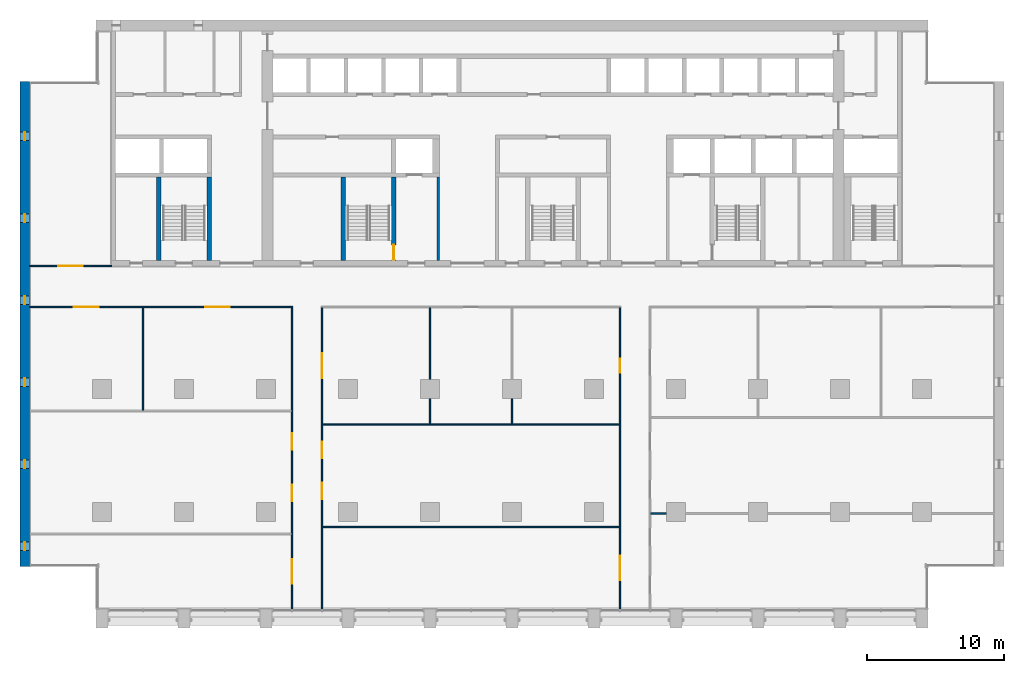
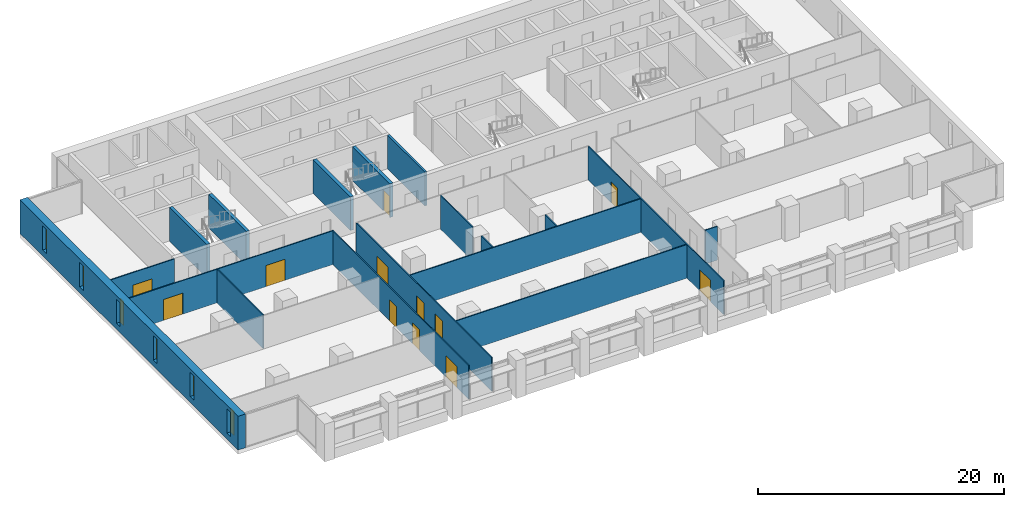
# One storey, part 8 of 17: 18 walls, 12 doors, 6 windows, 18 openings.
"""IFC4 building model written with IfcOpenShell, lengths in metres."""

import ifcopenshell
import ifcopenshell.guid

model = None  # the IFC model being written
_history = None  # IfcOwnerHistory: only IFC2X3 demands one
_inside = {}  # id of a spatial element -> (the spatial element, [elements in it])
_under = {}  # id of a project, library or spatial element -> (it, [spatial elements below it])
_declared = {}  # id of a project -> (the project, [libraries it declares])
_typed = {}  # id of a type object -> (the type object, [elements of that type])
_made_of = {}  # id of a material, layer set ... -> (it, [elements and type objects made of it])


def new_model(schema):
    """Start an empty IFC model of exactly this schema.

    Asked for "IFC4X3", IfcOpenShell would pick the latest addendum, in which some entities
    have other attributes; the version numbers below select the first issue.
    IFC2X3 requires an IfcOwnerHistory on every rooted entity: one is made here for all.
    """
    global model, _history
    if schema == "IFC4X3":
        model = ifcopenshell.file(schema_version=(4, 3, 0, 0))
    else:
        model = ifcopenshell.file(schema=schema)
    _inside.clear()
    _under.clear()
    _declared.clear()
    _typed.clear()
    _made_of.clear()
    _history = None
    if model.schema == "IFC2X3":
        org = make("IfcOrganization", Name="unknown")
        user = make(
            "IfcPersonAndOrganization",
            ThePerson=make("IfcPerson", FamilyName="unknown"),
            TheOrganization=org,
        )
        app = make(
            "IfcApplication",
            ApplicationDeveloper=org,
            Version="unknown",
            ApplicationFullName="unknown",
            ApplicationIdentifier="unknown",
        )
        _history = make(
            "IfcOwnerHistory",
            OwningUser=user,
            OwningApplication=app,
            ChangeAction="ADDED",
            CreationDate=0,
        )
    return model


def make(cls, **values):
    """One entity of the class cls with the attributes given. An attribute that is None is left unset."""
    return model.create_entity(
        cls, **{name: value for name, value in values.items() if value is not None}
    )


def rooted(cls, **values):
    """An entity with a GlobalId (a new one), such as an element, a storey or a relation."""
    return make(cls, GlobalId=ifcopenshell.guid.new(), OwnerHistory=_history, **values)


def si_unit(unit_type, name, prefix=None):
    """IfcSIUnit, for example si_unit("LENGTHUNIT", "METRE", prefix="MILLI")."""
    return make("IfcSIUnit", UnitType=unit_type, Prefix=prefix, Name=name)


def assignment(units):
    """IfcUnitAssignment: the units of a project."""
    return None if units is None else make("IfcUnitAssignment", Units=units)


def point(xyz):
    """IfcCartesianPoint."""
    return None if xyz is None else make("IfcCartesianPoint", Coordinates=xyz)


def direction(xyz):
    """IfcDirection."""
    return None if xyz is None else make("IfcDirection", DirectionRatios=xyz)


def frame(location, z_axis=None, x_axis=None):
    """IfcAxis2Placement3D, a coordinate frame: its origin and axes. An axis left out is left unset."""
    return make(
        "IfcAxis2Placement3D",
        Location=point(location),
        Axis=direction(z_axis),
        RefDirection=direction(x_axis),
    )


def frame_2d(location, x_axis=None):
    """IfcAxis2Placement2D, a coordinate frame in the plane: its origin and x axis."""
    return make(
        "IfcAxis2Placement2D", Location=point(location), RefDirection=direction(x_axis)
    )


def origin():
    """The frame at (0, 0, 0) with its axes left unset."""
    return frame((0.0, 0.0, 0.0))


def place(relative_to, where):
    """IfcLocalPlacement: puts the frame where relative to a parent placement (None: the world)."""
    return make(
        "IfcLocalPlacement", PlacementRelTo=relative_to, RelativePlacement=where
    )


def context(
    kind, dimensions, precision=None, world=None, true_north=None, identifier=None
):
    """IfcGeometricRepresentationContext, for example the 3D "Model" context."""
    return make(
        "IfcGeometricRepresentationContext",
        ContextIdentifier=identifier,
        ContextType=kind,
        CoordinateSpaceDimension=dimensions,
        Precision=precision,
        WorldCoordinateSystem=world,
        TrueNorth=true_north,
    )


def subcontext(parent, identifier, kind, view, scale=None):
    """IfcGeometricRepresentationSubContext, for example "Body" below "Model"."""
    return make(
        "IfcGeometricRepresentationSubContext",
        ContextIdentifier=identifier,
        ContextType=kind,
        ParentContext=parent,
        TargetScale=scale,
        TargetView=view,
    )


def project(units=None, contexts=None):
    """IfcProject with its units and contexts."""
    return rooted(
        "IfcProject",
        Name="project",
        RepresentationContexts=contexts,
        UnitsInContext=assignment(units),
    )


def spatial(cls, under=None, at=None, **own):
    """A site, building, storey or space (cls), placed at a placement, below another one or the project."""
    s = rooted(cls, ObjectPlacement=at, **own)
    if under is not None:
        _under.setdefault(under.id(), (under, []))[1].append(s)
    return s


def profile(cls, at=None, kind="AREA", **sizes):
    """A parametric profile (cls). Its sizes go by their IFC names, for example OverallWidth=200.0."""
    return make(cls, ProfileType=kind, Position=at, **sizes)


def rectangle(**sizes):
    """IfcRectangleProfileDef."""
    return profile("IfcRectangleProfileDef", **sizes)


def extrude(swept, where, along, depth):
    """IfcExtrudedAreaSolid: the profile swept, set in the frame where, extruded along a direction by depth."""
    return make(
        "IfcExtrudedAreaSolid",
        SweptArea=swept,
        Position=where,
        ExtrudedDirection=direction(along),
        Depth=depth,
    )


def shape(context_of_items, identifier, shape_type, items):
    """IfcShapeRepresentation: the items that make up one representation, for example the "Body"."""
    return make(
        "IfcShapeRepresentation",
        ContextOfItems=context_of_items,
        RepresentationIdentifier=identifier,
        RepresentationType=shape_type,
        Items=items,
    )


def material(Name=None, Category=None):
    """IfcMaterial."""
    return make("IfcMaterial", Name=Name, Category=Category)


def layer(
    of_material, thickness, ventilated=None, Name=None, Category=None, Priority=None
):
    """IfcMaterialLayer: one layer of a wall or slab, of a material (None: an air gap)."""
    return make(
        "IfcMaterialLayer",
        Material=of_material,
        LayerThickness=thickness,
        IsVentilated=ventilated,
        Name=Name,
        Category=Category,
        Priority=Priority,
    )


def layer_set(layers, Name=None):
    """IfcMaterialLayerSet."""
    return make("IfcMaterialLayerSet", MaterialLayers=layers, LayerSetName=Name)


def made_of(thing, what):
    """Note that an element or type object is made of a material, layer set ...; save() writes the relation."""
    if what is not None:
        _made_of.setdefault(what.id(), (what, []))[1].append(thing)
    return thing


def type_object(cls, material=None, **own):
    """A type object (cls), such as IfcWallType, which elements share."""
    return made_of(rooted(cls, **own), material)


def element(
    cls,
    number,
    at=None,
    inside=None,
    cuts=None,
    type_object=None,
    material=None,
    context=None,
    identifier="Body",
    shape_type=None,
    held_by="IfcProductDefinitionShape",
    body=None,
    shapes=None,
    **own,
):
    """One element of the class cls, such as IfcWall. Its Tag is "e" and its number.

    at: its placement. inside: the storey or other place that contains it. cuts: it is an
    opening in that element (IfcRelVoidsElement). A single representation is given by context,
    identifier, shape_type and body (its items); several are given by shapes. held_by: the class
    of the entity that holds the representations. save() writes the other relations.
    """
    e = rooted(cls, Tag="e%d" % number, ObjectPlacement=at, **own)
    if body is not None:
        shapes = [shape(context, identifier, shape_type, body)]
    if shapes is not None:
        e.Representation = make(held_by, Representations=shapes)
    if inside is not None:
        _inside.setdefault(inside.id(), (inside, []))[1].append(e)
    if cuts is not None:
        rooted(
            "IfcRelVoidsElement", RelatingBuildingElement=cuts, RelatedOpeningElement=e
        )
    if type_object is not None:
        _typed.setdefault(type_object.id(), (type_object, []))[1].append(e)
    return made_of(e, material)


def fill(opening, filler):
    """IfcRelFillsElement: the door or window that sits in an opening."""
    return rooted(
        "IfcRelFillsElement",
        RelatingOpeningElement=opening,
        RelatedBuildingElement=filler,
    )


def aggregate(whole, parts):
    """IfcRelAggregates: a whole, such as a stair, and the parts it consists of."""
    return rooted("IfcRelAggregates", RelatingObject=whole, RelatedObjects=parts)


def save(model, path):
    """Write the relations noted so far, then the file.

    IfcRelAggregates (storeys below a building ...), IfcRelContainedInSpatialStructure (elements
    in a storey), IfcRelDefinesByType, IfcRelAssociatesMaterial and IfcRelDeclares: one each for
    every whole, place, type object, material and project.
    """
    for whole, parts in _under.values():
        aggregate(whole, parts)
    for where, things in _inside.values():
        rooted(
            "IfcRelContainedInSpatialStructure",
            RelatedElements=things,
            RelatingStructure=where,
        )
    for kind, things in _typed.values():
        rooted("IfcRelDefinesByType", RelatedObjects=things, RelatingType=kind)
    for what, things in _made_of.values():
        rooted("IfcRelAssociatesMaterial", RelatedObjects=things, RelatingMaterial=what)
    for by, libraries in _declared.values():
        rooted("IfcRelDeclares", RelatingContext=by, RelatedDefinitions=libraries)
    model.write(path)


model = new_model("IFC4")

# Units and contexts
model_context = context("Model", 3, precision=1e-05, world=origin(), true_north=direction((0.0, 1.0)))
body_context = subcontext(model_context, "Body", "Model", "MODEL_VIEW")
ifc_project = project(units=[si_unit("LENGTHUNIT", "METRE"), si_unit("AREAUNIT", "SQUARE_METRE"), si_unit("VOLUMEUNIT", "CUBIC_METRE"), si_unit("PLANEANGLEUNIT", "RADIAN"), si_unit("MASSUNIT", "GRAM", prefix="KILO")], contexts=[model_context])

# Site, building, storey
site_placement = place(None, origin())
site = spatial("IfcSite", under=ifc_project, at=site_placement, CompositionType="ELEMENT")
building_placement = place(site_placement, origin())
building = spatial("IfcBuilding", under=site, at=building_placement, Name="Calvaro Tower", CompositionType="ELEMENT")
storey_placement = place(building_placement, frame((0.0, 0.0, 102.5)))
storey = spatial("IfcBuildingStorey", under=building, at=storey_placement, Name="L25", CompositionType="ELEMENT", Elevation=102.5)

# Walls
ifc_material_1 = material(Name="Blockwork partition", Category="masonry")
ifc_layer_1 = layer(ifc_material_1, 0.199951171875)
ifc_layer_set_1 = layer_set([ifc_layer_1], Name="Blockwork partition")
wall_type_1 = type_object("IfcWallType", Name="Core partition 200 REI 120", PredefinedType="PARTITIONING", material=ifc_layer_set_1)
wall_1_placement = place(storey_placement, frame((30.60009765625, 28.39990234375, 0.0), z_axis=(0.0, 0.0, 1.0), x_axis=(0.0, 1.0, 0.0)))
element("IfcWall", 1, at=wall_1_placement, inside=storey, type_object=wall_type_1, Name="Core partition", PredefinedType="PARTITIONING", context=body_context, shape_type="SweptSolid", body=[
    extrude(rectangle(XDim=6.10009765625, YDim=0.199951171875, at=frame_2d((3.050048828125, 0.0))), origin(), (0.0, 0.0, 1.0), 3.35009765625),
])
ifc_material_2 = material(Name="Concrete C60/75", Category="concrete")
ifc_layer_2 = layer(ifc_material_2, 0.300048828125)
ifc_layer_set_2 = layer_set([ifc_layer_2], Name="Concrete C60/75")
wall_type_2 = type_object("IfcWallType", Name="Core wall C60/75 300", PredefinedType="SHEAR", material=ifc_layer_set_2)
for number, where, z_axis, x_axis, name in (
    (2, (10.14990234375, 28.39990234375, 0.0), (0.0, 0.0, 1.0), (0.0, 1.0, 0.0), "Core wall, stair enclosure"),
    (3, (13.85009765625, 28.39990234375, 0.0), (0.0, 0.0, 1.0), (0.0, 1.0, 0.0), "Core wall, stair enclosure"),
    (4, (23.64990234375, 28.39990234375, 0.0), (0.0, 0.0, 1.0), (0.0, 1.0, 0.0), "Core wall, stair enclosure"),
):
    element("IfcWall", number, at=place(storey_placement, frame(where, z_axis=z_axis, x_axis=x_axis)), inside=storey, type_object=wall_type_2, Name=name, PredefinedType="SHEAR", context=body_context, shape_type="SweptSolid", body=[
        extrude(rectangle(XDim=6.10009765625, YDim=0.300048828125, at=frame_2d((3.050048828125, 0.0))), origin(), (0.0, 0.0, 1.0), 3.35009765625),
    ])

# Wall, opening, door
wall_2_placement = place(storey_placement, frame((27.35009765625, 28.39990234375, 0.0), z_axis=(0.0, 0.0, 1.0), x_axis=(0.0, 1.0, 0.0)))
wall_2 = element("IfcWall", 5, at=wall_2_placement, inside=storey, type_object=wall_type_2, Name="Core wall, stair enclosure", PredefinedType="SHEAR", context=body_context, shape_type="SweptSolid", body=[
    extrude(rectangle(XDim=6.10009765625, YDim=0.300048828125, at=frame_2d((3.050048828125, 0.0))), origin(), (0.0, 0.0, 1.0), 3.35009765625),
])
opening_1_placement = place(wall_2_placement, frame((0.050048828125, 0.0, 0.0)))
opening_1 = element("IfcOpeningElement", 6, at=opening_1_placement, cuts=wall_2, Name="Opening FD11D", PredefinedType="OPENING", context=body_context, shape_type="SweptSolid", body=[
    extrude(rectangle(XDim=1.10009765625, YDim=2.10009765625, at=frame_2d((0.550048828125, 1.050048828125))), frame((0.0, 0.159912109375, 0.0), z_axis=(0.0, -1.0, 0.0), x_axis=(1.0, 0.0, 0.0)), (0.0, 0.0, 1.0), 0.320068359375),
])
ifc_material_3 = material(Name="Steel door set", Category="steel")
door_type_1 = type_object("IfcDoorType", Name="Fire door 1100 FD30S", OperationType="SINGLE_SWING_LEFT", PredefinedType="DOOR", material=ifc_material_3)
door_1_placement = place(opening_1_placement, origin())
door_1 = element("IfcDoor", 7, at=door_1_placement, inside=storey, type_object=door_type_1, Name="Fire door", OperationType="SINGLE_SWING_LEFT", OverallHeight=2.10009765625, OverallWidth=1.10009765625, PredefinedType="DOOR", context=body_context, shape_type="SweptSolid", body=[
    extrude(rectangle(XDim=1.10009765625, YDim=2.10009765625, at=frame_2d((0.550048828125, 1.050048828125))), frame((0.0, 0.02490234375, 0.0), z_axis=(0.0, -1.0, 0.0), x_axis=(1.0, 0.0, 0.0)), (0.0, 0.0, 1.0), 0.050048828125),
])
fill(opening_1, door_1)

# Wall, openings, windows
ifc_material_4 = material(Name="Concrete C60/75", Category="concrete")
ifc_layer_3 = layer(ifc_material_4, 0.699951171875)
ifc_layer_set_3 = layer_set([ifc_layer_3], Name="Concrete C60/75")
wall_type_3 = type_object("IfcWallType", Name="End wall 700 C60/75", PredefinedType="SHEAR", material=ifc_layer_set_3)
wall_3_placement = place(storey_placement, frame((0.35009765625, 6.0, 0.0), z_axis=(0.0, 0.0, 1.0), x_axis=(0.0, 1.0, 0.0)))
wall_3 = element("IfcWall", 8, at=wall_3_placement, inside=storey, type_object=wall_type_3, Name="End shear wall", PredefinedType="SHEAR", context=body_context, shape_type="SweptSolid", body=[
    extrude(rectangle(XDim=35.5, YDim=0.699951171875, at=frame_2d((17.75, 0.0))), origin(), (0.0, 0.0, 1.0), 3.35009765625),
])
opening_2_placement = place(wall_3_placement, frame((1.199951171875, 0.0, 0.60009765625)))
opening_2 = element("IfcOpeningElement", 9, at=opening_2_placement, cuts=wall_3, Name="Opening WW01", PredefinedType="OPENING", context=body_context, shape_type="SweptSolid", body=[
    extrude(rectangle(XDim=0.60009765625, YDim=2.39990234375, at=frame_2d((0.300048828125, 1.199951171875))), frame((0.0, 0.35986328125, 0.0), z_axis=(0.0, -1.0, 0.0), x_axis=(1.0, 0.0, 0.0)), (0.0, 0.0, 1.0), 0.719970703125),
])
opening_3_placement = place(wall_3_placement, frame((7.199951171875, 0.0, 0.60009765625)))
opening_3 = element("IfcOpeningElement", 10, at=opening_3_placement, cuts=wall_3, Name="Opening WW02", PredefinedType="OPENING", context=body_context, shape_type="SweptSolid", body=[
    extrude(rectangle(XDim=0.60009765625, YDim=2.39990234375, at=frame_2d((0.300048828125, 1.199951171875))), frame((0.0, 0.35986328125, 0.0), z_axis=(0.0, -1.0, 0.0), x_axis=(1.0, 0.0, 0.0)), (0.0, 0.0, 1.0), 0.719970703125),
])
opening_4_placement = place(wall_3_placement, frame((13.199951171875, 0.0, 0.60009765625)))
opening_4 = element("IfcOpeningElement", 11, at=opening_4_placement, cuts=wall_3, Name="Opening WW03", PredefinedType="OPENING", context=body_context, shape_type="SweptSolid", body=[
    extrude(rectangle(XDim=0.60009765625, YDim=2.39990234375, at=frame_2d((0.300048828125, 1.199951171875))), frame((0.0, 0.35986328125, 0.0), z_axis=(0.0, -1.0, 0.0), x_axis=(1.0, 0.0, 0.0)), (0.0, 0.0, 1.0), 0.719970703125),
])
opening_5_placement = place(wall_3_placement, frame((19.199951171875, 0.0, 0.60009765625)))
opening_5 = element("IfcOpeningElement", 12, at=opening_5_placement, cuts=wall_3, Name="Opening WW04", PredefinedType="OPENING", context=body_context, shape_type="SweptSolid", body=[
    extrude(rectangle(XDim=0.60009765625, YDim=2.39990234375, at=frame_2d((0.300048828125, 1.199951171875))), frame((0.0, 0.35986328125, 0.0), z_axis=(0.0, -1.0, 0.0), x_axis=(1.0, 0.0, 0.0)), (0.0, 0.0, 1.0), 0.719970703125),
])
opening_6_placement = place(wall_3_placement, frame((25.199951171875, 0.0, 0.60009765625)))
opening_6 = element("IfcOpeningElement", 13, at=opening_6_placement, cuts=wall_3, Name="Opening WW05", PredefinedType="OPENING", context=body_context, shape_type="SweptSolid", body=[
    extrude(rectangle(XDim=0.60009765625, YDim=2.39990234375, at=frame_2d((0.300048828125, 1.199951171875))), frame((0.0, 0.35986328125, 0.0), z_axis=(0.0, -1.0, 0.0), x_axis=(1.0, 0.0, 0.0)), (0.0, 0.0, 1.0), 0.719970703125),
])
opening_7_placement = place(wall_3_placement, frame((31.199951171875, 0.0, 0.60009765625)))
opening_7 = element("IfcOpeningElement", 14, at=opening_7_placement, cuts=wall_3, Name="Opening WW06", PredefinedType="OPENING", context=body_context, shape_type="SweptSolid", body=[
    extrude(rectangle(XDim=0.60009765625, YDim=2.39990234375, at=frame_2d((0.300048828125, 1.199951171875))), frame((0.0, 0.35986328125, 0.0), z_axis=(0.0, -1.0, 0.0), x_axis=(1.0, 0.0, 0.0)), (0.0, 0.0, 1.0), 0.719970703125),
])
ifc_material_5 = material(Name="Glass", Category="glass")
window_type = type_object("IfcWindowType", Name="Slit window 600 x 2400", PartitioningType="SINGLE_PANEL", PredefinedType="WINDOW", material=ifc_material_5)
window_1_placement = place(opening_2_placement, origin())
window_1 = element("IfcWindow", 15, at=window_1_placement, inside=storey, type_object=window_type, Name="Window WW01", OverallHeight=2.39990234375, OverallWidth=0.60009765625, PartitioningType="SINGLE_PANEL", PredefinedType="WINDOW", context=body_context, shape_type="SweptSolid", body=[
    extrude(rectangle(XDim=0.60009765625, YDim=2.39990234375, at=frame_2d((0.300048828125, 1.199951171875))), frame((0.0, 0.030029296875, 0.0), z_axis=(0.0, -1.0, 0.0), x_axis=(1.0, 0.0, 0.0)), (0.0, 0.0, 1.0), 0.06005859375),
])
fill(opening_2, window_1)
window_2_placement = place(opening_3_placement, origin())
window_2 = element("IfcWindow", 16, at=window_2_placement, inside=storey, type_object=window_type, Name="Window WW02", OverallHeight=2.39990234375, OverallWidth=0.60009765625, PartitioningType="SINGLE_PANEL", PredefinedType="WINDOW", context=body_context, shape_type="SweptSolid", body=[
    extrude(rectangle(XDim=0.60009765625, YDim=2.39990234375, at=frame_2d((0.300048828125, 1.199951171875))), frame((0.0, 0.030029296875, 0.0), z_axis=(0.0, -1.0, 0.0), x_axis=(1.0, 0.0, 0.0)), (0.0, 0.0, 1.0), 0.06005859375),
])
fill(opening_3, window_2)
window_3_placement = place(opening_4_placement, origin())
window_3 = element("IfcWindow", 17, at=window_3_placement, inside=storey, type_object=window_type, Name="Window WW03", OverallHeight=2.39990234375, OverallWidth=0.60009765625, PartitioningType="SINGLE_PANEL", PredefinedType="WINDOW", context=body_context, shape_type="SweptSolid", body=[
    extrude(rectangle(XDim=0.60009765625, YDim=2.39990234375, at=frame_2d((0.300048828125, 1.199951171875))), frame((0.0, 0.030029296875, 0.0), z_axis=(0.0, -1.0, 0.0), x_axis=(1.0, 0.0, 0.0)), (0.0, 0.0, 1.0), 0.06005859375),
])
fill(opening_4, window_3)
window_4_placement = place(opening_5_placement, origin())
window_4 = element("IfcWindow", 18, at=window_4_placement, inside=storey, type_object=window_type, Name="Window WW04", OverallHeight=2.39990234375, OverallWidth=0.60009765625, PartitioningType="SINGLE_PANEL", PredefinedType="WINDOW", context=body_context, shape_type="SweptSolid", body=[
    extrude(rectangle(XDim=0.60009765625, YDim=2.39990234375, at=frame_2d((0.300048828125, 1.199951171875))), frame((0.0, 0.030029296875, 0.0), z_axis=(0.0, -1.0, 0.0), x_axis=(1.0, 0.0, 0.0)), (0.0, 0.0, 1.0), 0.06005859375),
])
fill(opening_5, window_4)
window_5_placement = place(opening_6_placement, origin())
window_5 = element("IfcWindow", 19, at=window_5_placement, inside=storey, type_object=window_type, Name="Window WW05", OverallHeight=2.39990234375, OverallWidth=0.60009765625, PartitioningType="SINGLE_PANEL", PredefinedType="WINDOW", context=body_context, shape_type="SweptSolid", body=[
    extrude(rectangle(XDim=0.60009765625, YDim=2.39990234375, at=frame_2d((0.300048828125, 1.199951171875))), frame((0.0, 0.030029296875, 0.0), z_axis=(0.0, -1.0, 0.0), x_axis=(1.0, 0.0, 0.0)), (0.0, 0.0, 1.0), 0.06005859375),
])
fill(opening_6, window_5)
window_6_placement = place(opening_7_placement, origin())
window_6 = element("IfcWindow", 20, at=window_6_placement, inside=storey, type_object=window_type, Name="Window WW06", OverallHeight=2.39990234375, OverallWidth=0.60009765625, PartitioningType="SINGLE_PANEL", PredefinedType="WINDOW", context=body_context, shape_type="SweptSolid", body=[
    extrude(rectangle(XDim=0.60009765625, YDim=2.39990234375, at=frame_2d((0.300048828125, 1.199951171875))), frame((0.0, 0.030029296875, 0.0), z_axis=(0.0, -1.0, 0.0), x_axis=(1.0, 0.0, 0.0)), (0.0, 0.0, 1.0), 0.06005859375),
])
fill(opening_7, window_6)

# Walls
ifc_material_6 = material(Name="Plasterboard on steel studs", Category="steel")
ifc_layer_4 = layer(ifc_material_6, 0.10009765625)
ifc_layer_set_4 = layer_set([ifc_layer_4], Name="Plasterboard on steel studs")
wall_type_4 = type_object("IfcWallType", Name="Partition 100", PredefinedType="PARTITIONING", material=ifc_layer_set_4)
wall_4_placement = place(storey_placement, frame((22.14990234375, 8.89990234375, 0.0), z_axis=(0.0, 0.0, 1.0), x_axis=(1.0, 0.0, 0.0)))
element("IfcWall", 21, at=wall_4_placement, inside=storey, type_object=wall_type_4, Name="Partition T16.W002", PredefinedType="PARTITIONING", context=body_context, shape_type="SweptSolid", body=[
    extrude(rectangle(XDim=21.7001953125, YDim=0.10009765625, at=frame_2d((10.85009765625, 0.0))), origin(), (0.0, 0.0, 1.0), 3.35009765625),
])
wall_5_placement = place(storey_placement, frame((46.14990234375, 9.89990234375, 0.0), z_axis=(0.0, 0.0, 1.0), x_axis=(1.0, 0.0, 0.0)))
element("IfcWall", 22, at=wall_5_placement, inside=storey, type_object=wall_type_4, Name="Partition T16.W007", PredefinedType="PARTITIONING", context=body_context, shape_type="SweptSolid", body=[
    extrude(rectangle(XDim=1.150146484375, YDim=0.10009765625, at=frame_2d((0.5751953125, 0.0))), origin(), (0.0, 0.0, 1.0), 3.35009765625),
])
wall_6_placement = place(storey_placement, frame((22.14990234375, 16.39990234375, 0.0), z_axis=(0.0, 0.0, 1.0), x_axis=(1.0, 0.0, 0.0)))
element("IfcWall", 23, at=wall_6_placement, inside=storey, type_object=wall_type_4, Name="Partition T16.W008", PredefinedType="PARTITIONING", context=body_context, shape_type="SweptSolid", body=[
    extrude(rectangle(XDim=21.7001953125, YDim=0.10009765625, at=frame_2d((10.85009765625, 0.0))), origin(), (0.0, 0.0, 1.0), 3.35009765625),
])

# Wall, openings, doors
wall_7_placement = place(storey_placement, frame((0.699951171875, 25.0, 0.0), z_axis=(0.0, 0.0, 1.0), x_axis=(1.0, 0.0, 0.0)))
wall_7 = element("IfcWall", 24, at=wall_7_placement, inside=storey, type_object=wall_type_4, Name="Partition T16.W011", PredefinedType="PARTITIONING", context=body_context, shape_type="SweptSolid", body=[
    extrude(rectangle(XDim=19.25, YDim=0.10009765625, at=frame_2d((9.625, 0.0))), origin(), (0.0, 0.0, 1.0), 3.35009765625),
])
opening_8_placement = place(wall_7_placement, frame((3.25, 0.0, 0.0)))
opening_8 = element("IfcOpeningElement", 25, at=opening_8_placement, cuts=wall_7, Name="Opening T16.017", PredefinedType="OPENING", context=body_context, shape_type="SweptSolid", body=[
    extrude(rectangle(XDim=1.800048828125, YDim=2.10009765625, at=frame_2d((0.89990234375, 1.050048828125))), frame((0.0, 0.06005859375, 0.0), z_axis=(0.0, -1.0, 0.0), x_axis=(1.0, 0.0, 0.0)), (0.0, 0.0, 1.0), 0.1201171875),
])
opening_9_placement = place(wall_7_placement, frame((12.85009765625, 0.0, 0.0)))
opening_9 = element("IfcOpeningElement", 26, at=opening_9_placement, cuts=wall_7, Name="Opening T16.018", PredefinedType="OPENING", context=body_context, shape_type="SweptSolid", body=[
    extrude(rectangle(XDim=1.800048828125, YDim=2.10009765625, at=frame_2d((0.89990234375, 1.050048828125))), frame((0.0, 0.06005859375, 0.0), z_axis=(0.0, -1.0, 0.0), x_axis=(1.0, 0.0, 0.0)), (0.0, 0.0, 1.0), 0.1201171875),
])
ifc_material_7 = material(Name="Timber", Category="wood")
door_type_2 = type_object("IfcDoorType", Name="Internal double door 1800 x 2100", OperationType="DOUBLE_DOOR_SINGLE_SWING", PredefinedType="DOOR", material=ifc_material_7)
door_2_placement = place(opening_8_placement, origin())
door_2 = element("IfcDoor", 27, at=door_2_placement, inside=storey, type_object=door_type_2, Name="Door T16.017", OperationType="DOUBLE_DOOR_SINGLE_SWING", OverallHeight=2.10009765625, OverallWidth=1.800048828125, PredefinedType="DOOR", context=body_context, shape_type="SweptSolid", body=[
    extrude(rectangle(XDim=1.800048828125, YDim=2.10009765625, at=frame_2d((0.89990234375, 1.050048828125))), frame((0.0, 0.02490234375, 0.0), z_axis=(0.0, -1.0, 0.0), x_axis=(1.0, 0.0, 0.0)), (0.0, 0.0, 1.0), 0.050048828125),
])
fill(opening_8, door_2)
door_3_placement = place(opening_9_placement, origin())
door_3 = element("IfcDoor", 28, at=door_3_placement, inside=storey, type_object=door_type_2, Name="Door T16.018", OperationType="DOUBLE_DOOR_SINGLE_SWING", OverallHeight=2.10009765625, OverallWidth=1.800048828125, PredefinedType="DOOR", context=body_context, shape_type="SweptSolid", body=[
    extrude(rectangle(XDim=1.800048828125, YDim=2.10009765625, at=frame_2d((0.89990234375, 1.050048828125))), frame((0.0, 0.02490234375, 0.0), z_axis=(0.0, -1.0, 0.0), x_axis=(1.0, 0.0, 0.0)), (0.0, 0.0, 1.0), 0.050048828125),
])
fill(opening_9, door_3)

# Wall, opening, door
wall_8_placement = place(storey_placement, frame((0.699951171875, 28.0, 0.0), z_axis=(0.0, 0.0, 1.0), x_axis=(1.0, 0.0, 0.0)))
wall_8 = element("IfcWall", 29, at=wall_8_placement, inside=storey, type_object=wall_type_4, Name="Partition T16.W014", PredefinedType="PARTITIONING", context=body_context, shape_type="SweptSolid", body=[
    extrude(rectangle(XDim=6.0, YDim=0.10009765625, at=frame_2d((3.0, 0.0))), origin(), (0.0, 0.0, 1.0), 3.35009765625),
])
opening_10_placement = place(wall_8_placement, frame((2.10009765625, 0.0, 0.0)))
opening_10 = element("IfcOpeningElement", 30, at=opening_10_placement, cuts=wall_8, Name="Opening T16.019", PredefinedType="OPENING", context=body_context, shape_type="SweptSolid", body=[
    extrude(rectangle(XDim=1.800048828125, YDim=2.10009765625, at=frame_2d((0.89990234375, 1.050048828125))), frame((0.0, 0.06005859375, 0.0), z_axis=(0.0, -1.0, 0.0), x_axis=(1.0, 0.0, 0.0)), (0.0, 0.0, 1.0), 0.1201171875),
])
door_4_placement = place(opening_10_placement, origin())
door_4 = element("IfcDoor", 31, at=door_4_placement, inside=storey, type_object=door_type_2, Name="Door T16.019", OperationType="DOUBLE_DOOR_SINGLE_SWING", OverallHeight=2.10009765625, OverallWidth=1.800048828125, PredefinedType="DOOR", context=body_context, shape_type="SweptSolid", body=[
    extrude(rectangle(XDim=1.800048828125, YDim=2.10009765625, at=frame_2d((0.89990234375, 1.050048828125))), frame((0.0, 0.02490234375, 0.0), z_axis=(0.0, -1.0, 0.0), x_axis=(1.0, 0.0, 0.0)), (0.0, 0.0, 1.0), 0.050048828125),
])
fill(opening_10, door_4)

# Wall
wall_9_placement = place(storey_placement, frame((9.0, 17.449951171875, 0.0), z_axis=(0.0, 0.0, 1.0), x_axis=(0.0, 1.0, 0.0)))
element("IfcWall", 32, at=wall_9_placement, inside=storey, type_object=wall_type_4, Name="Partition T16.W016", PredefinedType="PARTITIONING", context=body_context, shape_type="SweptSolid", body=[
    extrude(rectangle(XDim=7.5, YDim=0.10009765625, at=frame_2d((3.75, 0.0))), origin(), (0.0, 0.0, 1.0), 3.35009765625),
])

# Wall, openings, doors
wall_10_placement = place(storey_placement, frame((19.89990234375, 2.89990234375, 0.0), z_axis=(0.0, 0.0, 1.0), x_axis=(0.0, 1.0, 0.0)))
wall_10 = element("IfcWall", 33, at=wall_10_placement, inside=storey, type_object=wall_type_4, Name="Partition T16.W017", PredefinedType="PARTITIONING", context=body_context, shape_type="SweptSolid", body=[
    extrude(rectangle(XDim=22.050048828125, YDim=0.10009765625, at=frame_2d((11.02490234375, 0.0))), origin(), (0.0, 0.0, 1.0), 3.35009765625),
])
opening_11_placement = place(wall_10_placement, frame((1.85009765625, 0.0, 0.0)))
opening_11 = element("IfcOpeningElement", 34, at=opening_11_placement, cuts=wall_10, Name="Opening T16.001", PredefinedType="OPENING", context=body_context, shape_type="SweptSolid", body=[
    extrude(rectangle(XDim=1.800048828125, YDim=2.10009765625, at=frame_2d((0.89990234375, 1.050048828125))), frame((0.0, 0.06005859375, 0.0), z_axis=(0.0, -1.0, 0.0), x_axis=(1.0, 0.0, 0.0)), (0.0, 0.0, 1.0), 0.1201171875),
])
opening_12_placement = place(wall_10_placement, frame((7.89990234375, 0.0, 0.0)))
opening_12 = element("IfcOpeningElement", 35, at=opening_12_placement, cuts=wall_10, Name="Opening T16.007", PredefinedType="OPENING", context=body_context, shape_type="SweptSolid", body=[
    extrude(rectangle(XDim=1.199951171875, YDim=2.10009765625, at=frame_2d((0.60009765625, 1.050048828125))), frame((0.0, 0.06005859375, 0.0), z_axis=(0.0, -1.0, 0.0), x_axis=(1.0, 0.0, 0.0)), (0.0, 0.0, 1.0), 0.1201171875),
])
opening_13_placement = place(wall_10_placement, frame((11.64990234375, 0.0, 0.0)))
opening_13 = element("IfcOpeningElement", 36, at=opening_13_placement, cuts=wall_10, Name="Opening T16.008", PredefinedType="OPENING", context=body_context, shape_type="SweptSolid", body=[
    extrude(rectangle(XDim=1.199951171875, YDim=2.10009765625, at=frame_2d((0.60009765625, 1.050048828125))), frame((0.0, 0.06005859375, 0.0), z_axis=(0.0, -1.0, 0.0), x_axis=(1.0, 0.0, 0.0)), (0.0, 0.0, 1.0), 0.1201171875),
])
door_5_placement = place(opening_11_placement, origin())
door_5 = element("IfcDoor", 37, at=door_5_placement, inside=storey, type_object=door_type_2, Name="Door T16.001", OperationType="DOUBLE_DOOR_SINGLE_SWING", OverallHeight=2.10009765625, OverallWidth=1.800048828125, PredefinedType="DOOR", context=body_context, shape_type="SweptSolid", body=[
    extrude(rectangle(XDim=1.800048828125, YDim=2.10009765625, at=frame_2d((0.89990234375, 1.050048828125))), frame((0.0, 0.02490234375, 0.0), z_axis=(0.0, -1.0, 0.0), x_axis=(1.0, 0.0, 0.0)), (0.0, 0.0, 1.0), 0.050048828125),
])
fill(opening_11, door_5)
ifc_material_8 = material(Name="Timber", Category="wood")
door_type_3 = type_object("IfcDoorType", Name="Internal single door 1200 x 2100", OperationType="SINGLE_SWING_LEFT", PredefinedType="DOOR", material=ifc_material_8)
door_6_placement = place(opening_12_placement, origin())
door_6 = element("IfcDoor", 38, at=door_6_placement, inside=storey, type_object=door_type_3, Name="Door T16.007", OperationType="SINGLE_SWING_LEFT", OverallHeight=2.10009765625, OverallWidth=1.199951171875, PredefinedType="DOOR", context=body_context, shape_type="SweptSolid", body=[
    extrude(rectangle(XDim=1.199951171875, YDim=2.10009765625, at=frame_2d((0.60009765625, 1.050048828125))), frame((0.0, 0.02490234375, 0.0), z_axis=(0.0, -1.0, 0.0), x_axis=(1.0, 0.0, 0.0)), (0.0, 0.0, 1.0), 0.050048828125),
])
fill(opening_12, door_6)
door_7_placement = place(opening_13_placement, origin())
door_7 = element("IfcDoor", 39, at=door_7_placement, inside=storey, type_object=door_type_3, Name="Door T16.008", OperationType="SINGLE_SWING_RIGHT", OverallHeight=2.10009765625, OverallWidth=1.199951171875, PredefinedType="DOOR", context=body_context, shape_type="SweptSolid", body=[
    extrude(rectangle(XDim=1.199951171875, YDim=2.10009765625, at=frame_2d((0.60009765625, 1.050048828125))), frame((0.0, 0.02490234375, 0.0), z_axis=(0.0, -1.0, 0.0), x_axis=(1.0, 0.0, 0.0)), (0.0, 0.0, 1.0), 0.050048828125),
])
fill(opening_13, door_7)

wall_11_placement = place(storey_placement, frame((22.10009765625, 2.89990234375, 0.0), z_axis=(0.0, 0.0, 1.0), x_axis=(0.0, 1.0, 0.0)))
wall_11 = element("IfcWall", 40, at=wall_11_placement, inside=storey, type_object=wall_type_4, Name="Partition T16.W018", PredefinedType="PARTITIONING", context=body_context, shape_type="SweptSolid", body=[
    extrude(rectangle(XDim=22.050048828125, YDim=0.10009765625, at=frame_2d((11.02490234375, 0.0))), origin(), (0.0, 0.0, 1.0), 3.35009765625),
])
opening_14_placement = place(wall_11_placement, frame((8.02490234375, 0.0, 0.0)))
opening_14 = element("IfcOpeningElement", 41, at=opening_14_placement, cuts=wall_11, Name="Opening T16.005", PredefinedType="OPENING", context=body_context, shape_type="SweptSolid", body=[
    extrude(rectangle(XDim=1.199951171875, YDim=2.10009765625, at=frame_2d((0.60009765625, 1.050048828125))), frame((0.0, 0.06005859375, 0.0), z_axis=(0.0, -1.0, 0.0), x_axis=(1.0, 0.0, 0.0)), (0.0, 0.0, 1.0), 0.1201171875),
])
opening_15_placement = place(wall_11_placement, frame((11.02490234375, 0.0, 0.0)))
opening_15 = element("IfcOpeningElement", 42, at=opening_15_placement, cuts=wall_11, Name="Opening T16.006", PredefinedType="OPENING", context=body_context, shape_type="SweptSolid", body=[
    extrude(rectangle(XDim=1.199951171875, YDim=2.10009765625, at=frame_2d((0.60009765625, 1.050048828125))), frame((0.0, 0.06005859375, 0.0), z_axis=(0.0, -1.0, 0.0), x_axis=(1.0, 0.0, 0.0)), (0.0, 0.0, 1.0), 0.1201171875),
])
opening_16_placement = place(wall_11_placement, frame((16.89990234375, 0.0, 0.0)))
opening_16 = element("IfcOpeningElement", 43, at=opening_16_placement, cuts=wall_11, Name="Opening T16.011", PredefinedType="OPENING", context=body_context, shape_type="SweptSolid", body=[
    extrude(rectangle(XDim=1.800048828125, YDim=2.10009765625, at=frame_2d((0.89990234375, 1.050048828125))), frame((0.0, 0.06005859375, 0.0), z_axis=(0.0, -1.0, 0.0), x_axis=(1.0, 0.0, 0.0)), (0.0, 0.0, 1.0), 0.1201171875),
])
door_8_placement = place(opening_16_placement, origin())
door_8 = element("IfcDoor", 44, at=door_8_placement, inside=storey, type_object=door_type_2, Name="Door T16.011", OperationType="DOUBLE_DOOR_SINGLE_SWING", OverallHeight=2.10009765625, OverallWidth=1.800048828125, PredefinedType="DOOR", context=body_context, shape_type="SweptSolid", body=[
    extrude(rectangle(XDim=1.800048828125, YDim=2.10009765625, at=frame_2d((0.89990234375, 1.050048828125))), frame((0.0, 0.02490234375, 0.0), z_axis=(0.0, -1.0, 0.0), x_axis=(1.0, 0.0, 0.0)), (0.0, 0.0, 1.0), 0.050048828125),
])
fill(opening_16, door_8)
door_9_placement = place(opening_14_placement, origin())
door_9 = element("IfcDoor", 45, at=door_9_placement, inside=storey, type_object=door_type_3, Name="Door T16.005", OperationType="SINGLE_SWING_LEFT", OverallHeight=2.10009765625, OverallWidth=1.199951171875, PredefinedType="DOOR", context=body_context, shape_type="SweptSolid", body=[
    extrude(rectangle(XDim=1.199951171875, YDim=2.10009765625, at=frame_2d((0.60009765625, 1.050048828125))), frame((0.0, 0.02490234375, 0.0), z_axis=(0.0, -1.0, 0.0), x_axis=(1.0, 0.0, 0.0)), (0.0, 0.0, 1.0), 0.050048828125),
])
fill(opening_14, door_9)
door_10_placement = place(opening_15_placement, origin())
door_10 = element("IfcDoor", 46, at=door_10_placement, inside=storey, type_object=door_type_3, Name="Door T16.006", OperationType="SINGLE_SWING_RIGHT", OverallHeight=2.10009765625, OverallWidth=1.199951171875, PredefinedType="DOOR", context=body_context, shape_type="SweptSolid", body=[
    extrude(rectangle(XDim=1.199951171875, YDim=2.10009765625, at=frame_2d((0.60009765625, 1.050048828125))), frame((0.0, 0.02490234375, 0.0), z_axis=(0.0, -1.0, 0.0), x_axis=(1.0, 0.0, 0.0)), (0.0, 0.0, 1.0), 0.050048828125),
])
fill(opening_15, door_10)

# Walls
wall_12_placement = place(storey_placement, frame((30.0, 16.449951171875, 0.0), z_axis=(0.0, 0.0, 1.0), x_axis=(0.0, 1.0, 0.0)))
element("IfcWall", 47, at=wall_12_placement, inside=storey, type_object=wall_type_4, Name="Partition T16.W019", PredefinedType="PARTITIONING", context=body_context, shape_type="SweptSolid", body=[
    extrude(rectangle(XDim=1.85009765625, YDim=0.10009765625, at=frame_2d((0.925048828125, 0.0))), origin(), (0.0, 0.0, 1.0), 3.35009765625),
])
wall_13_placement = place(storey_placement, frame((30.0, 19.699951171875, 0.0), z_axis=(0.0, 0.0, 1.0), x_axis=(0.0, 1.0, 0.0)))
element("IfcWall", 48, at=wall_13_placement, inside=storey, type_object=wall_type_4, Name="Partition T16.W020", PredefinedType="PARTITIONING", context=body_context, shape_type="SweptSolid", body=[
    extrude(rectangle(XDim=5.25, YDim=0.10009765625, at=frame_2d((2.625, 0.0))), origin(), (0.0, 0.0, 1.0), 3.35009765625),
])
ifc_material_9 = material(Name="Plasterboard on steel studs", Category="steel")
ifc_layer_5 = layer(ifc_material_9, 0.10009765625)
ifc_layer_set_5 = layer_set([ifc_layer_5], Name="Plasterboard on steel studs")
wall_type_5 = type_object("IfcWallType", Name="Partition 100 REI 120", PredefinedType="PARTITIONING", material=ifc_layer_set_5)
wall_14_placement = place(storey_placement, frame((36.0, 16.449951171875, 0.0), z_axis=(0.0, 0.0, 1.0), x_axis=(0.0, 1.0, 0.0)))
element("IfcWall", 49, at=wall_14_placement, inside=storey, type_object=wall_type_5, Name="Partition T16.W021", PredefinedType="PARTITIONING", context=body_context, shape_type="SweptSolid", body=[
    extrude(rectangle(XDim=1.85009765625, YDim=0.10009765625, at=frame_2d((0.925048828125, 0.0))), origin(), (0.0, 0.0, 1.0), 3.35009765625),
])

# Wall, openings, doors
wall_15_placement = place(storey_placement, frame((43.89990234375, 2.89990234375, 0.0), z_axis=(0.0, 0.0, 1.0), x_axis=(0.0, 1.0, 0.0)))
wall_15 = element("IfcWall", 50, at=wall_15_placement, inside=storey, type_object=wall_type_5, Name="Partition T16.W023", PredefinedType="PARTITIONING", context=body_context, shape_type="SweptSolid", body=[
    extrude(rectangle(XDim=22.050048828125, YDim=0.10009765625, at=frame_2d((11.02490234375, 0.0))), origin(), (0.0, 0.0, 1.0), 3.35009765625),
])
opening_17_placement = place(wall_15_placement, frame((2.10009765625, 0.0, 0.0)))
opening_17 = element("IfcOpeningElement", 51, at=opening_17_placement, cuts=wall_15, Name="Opening T16.002", PredefinedType="OPENING", context=body_context, shape_type="SweptSolid", body=[
    extrude(rectangle(XDim=1.800048828125, YDim=2.10009765625, at=frame_2d((0.89990234375, 1.050048828125))), frame((0.0, 0.06005859375, 0.0), z_axis=(0.0, -1.0, 0.0), x_axis=(1.0, 0.0, 0.0)), (0.0, 0.0, 1.0), 0.1201171875),
])
opening_18_placement = place(wall_15_placement, frame((17.300048828125, 0.0, 0.0)))
opening_18 = element("IfcOpeningElement", 52, at=opening_18_placement, cuts=wall_15, Name="Opening T16.013", PredefinedType="OPENING", context=body_context, shape_type="SweptSolid", body=[
    extrude(rectangle(XDim=1.0, YDim=2.10009765625, at=frame_2d((0.5, 1.050048828125))), frame((0.0, 0.06005859375, 0.0), z_axis=(0.0, -1.0, 0.0), x_axis=(1.0, 0.0, 0.0)), (0.0, 0.0, 1.0), 0.1201171875),
])
door_11_placement = place(opening_17_placement, origin())
door_11 = element("IfcDoor", 53, at=door_11_placement, inside=storey, type_object=door_type_2, Name="Door T16.002", OperationType="DOUBLE_DOOR_SINGLE_SWING", OverallHeight=2.10009765625, OverallWidth=1.800048828125, PredefinedType="DOOR", context=body_context, shape_type="SweptSolid", body=[
    extrude(rectangle(XDim=1.800048828125, YDim=2.10009765625, at=frame_2d((0.89990234375, 1.050048828125))), frame((0.0, 0.02490234375, 0.0), z_axis=(0.0, -1.0, 0.0), x_axis=(1.0, 0.0, 0.0)), (0.0, 0.0, 1.0), 0.050048828125),
])
fill(opening_17, door_11)
ifc_material_10 = material(Name="Timber", Category="wood")
door_type_4 = type_object("IfcDoorType", Name="Internal single door 1000 x 2100 FD60", OperationType="SINGLE_SWING_LEFT", PredefinedType="DOOR", material=ifc_material_10)
door_12_placement = place(opening_18_placement, origin())
door_12 = element("IfcDoor", 54, at=door_12_placement, inside=storey, type_object=door_type_4, Name="Door T16.013", OperationType="SINGLE_SWING_RIGHT", OverallHeight=2.10009765625, OverallWidth=1.0, PredefinedType="DOOR", context=body_context, shape_type="SweptSolid", body=[
    extrude(rectangle(XDim=1.0, YDim=2.10009765625, at=frame_2d((0.5, 1.050048828125))), frame((0.0, 0.02490234375, 0.0), z_axis=(0.0, -1.0, 0.0), x_axis=(1.0, 0.0, 0.0)), (0.0, 0.0, 1.0), 0.050048828125),
])
fill(opening_18, door_12)

save(model, "model.ifc")
